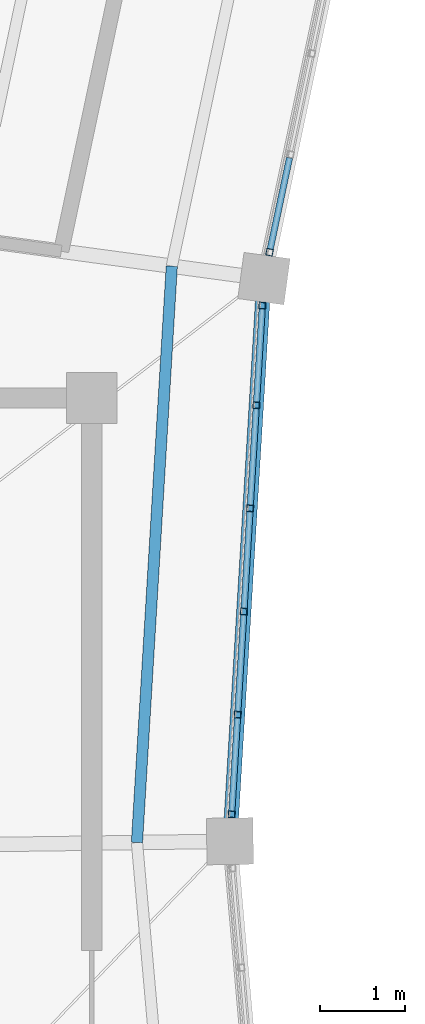
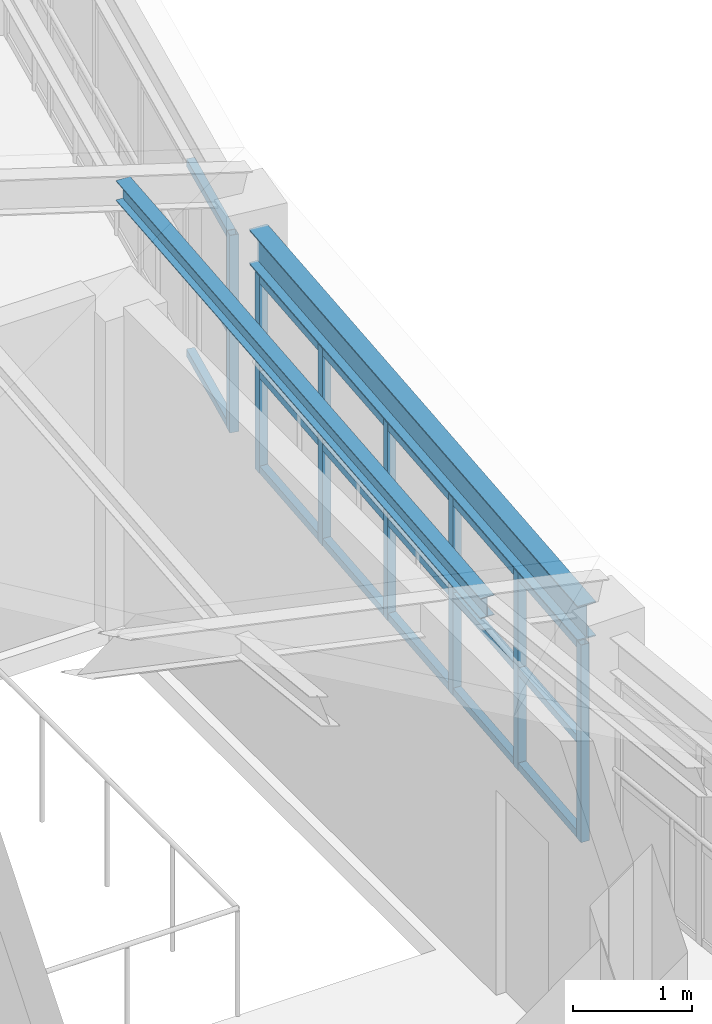
# One storey, part 31 of 149: 26 members, 1 beam, 2 elements without a shape of their own.
"""IFC4 building model written with IfcOpenShell, lengths in metres."""

from ifc_helpers import new_model, si_unit, direction, frame, origin, origin_2d, place, context, subcontext, project, spatial, hollow_rectangle, i_section, extrude, material, material_profile, profile_set, type_object, element, aggregate, save


model = new_model("IFC4")

# Units and contexts
model_context = context("Model", 3, precision=1e-05, world=origin(), true_north=direction((0.0, 1.0)))
body_context = subcontext(model_context, "Body", "Model", "MODEL_VIEW")
ifc_project = project(units=[si_unit("LENGTHUNIT", "METRE"), si_unit("AREAUNIT", "SQUARE_METRE"), si_unit("VOLUMEUNIT", "CUBIC_METRE"), si_unit("PLANEANGLEUNIT", "RADIAN"), si_unit("MASSUNIT", "GRAM", prefix="KILO")], contexts=[model_context])

# Site, building, storey
site_placement = place(None, origin())
site = spatial("IfcSite", under=ifc_project, at=site_placement, CompositionType="ELEMENT")
building_placement = place(site_placement, origin())
building = spatial("IfcBuilding", under=site, at=building_placement, Name="Celadon Cloister-Ring School", CompositionType="ELEMENT")
storey_placement = place(building_placement, frame((0.0, 0.0, 12.5)))
storey = spatial("IfcBuildingStorey", under=building, at=storey_placement, Name="L03", CompositionType="ELEMENT", Elevation=12.5)

# Curtain wall, member
ifc_material_1 = material(Name="Aluminium EN AW-6063 T6", Category="aluminium")
curtain_wall_type = type_object("IfcCurtainWallType", Name="CW-02", PredefinedType="USERDEFINED", material=ifc_material_1)
curtain_wall_1_placement = place(storey_placement, origin())
curtain_wall_1 = element("IfcCurtainWall", 1, at=curtain_wall_1_placement, inside=storey, type_object=curtain_wall_type, Name="Curtain Wall 0049", ObjectType="CURTAIN WALL", PredefinedType="USERDEFINED")
ifc_material_2 = material(Name="Aluminium EN AW-6063 T6", Category="aluminium")
ifc_material_profile_1 = material_profile(ifc_material_2, hollow_rectangle(XDim=0.080078125, YDim=0.080078125, WallThickness=0.00390625, at=origin_2d()), Name="RHS80X80X4")
ifc_profile_set_1 = profile_set([ifc_material_profile_1], Name="Aluminium EN AW-6063 T6")
member_type_1 = type_object("IfcMemberType", Name="CM-03", PredefinedType="MULLION", material=ifc_profile_set_1)
member_1_placement = place(storey_placement, frame((42.47216796875, 65.34423828125, 0.0), z_axis=(0.0, 0.0, 1.0), x_axis=(0.978328665626, -0.207058016061, 0.0)))
member_1 = element("IfcMember", 2, at=member_1_placement, type_object=member_type_1, Name="CW-02 mullion 6", PredefinedType="MULLION", context=body_context, shape_type="SweptSolid", body=[
    extrude(hollow_rectangle(XDim=0.080078125, YDim=0.080078125, WallThickness=0.00390625, at=origin_2d()), origin(), (0.0, 0.0, 1.0), 2.02001953125),
])

# Curtain wall, members
curtain_wall_2_placement = place(storey_placement, origin())
curtain_wall_2 = element("IfcCurtainWall", 3, at=curtain_wall_2_placement, inside=storey, type_object=curtain_wall_type, Name="Curtain Wall 0050", ObjectType="CURTAIN WALL", PredefinedType="USERDEFINED")
member_2_placement = place(storey_placement, frame((42.386474609375, 64.714111328125, 0.0), z_axis=(0.0, 0.0, 1.0), x_axis=(0.998184038846, -0.060238065975, 0.0)))
member_2 = element("IfcMember", 4, at=member_2_placement, type_object=member_type_1, Name="CW-02 mullion 1", PredefinedType="MULLION", context=body_context, shape_type="SweptSolid", body=[
    extrude(hollow_rectangle(XDim=0.080078125, YDim=0.080078125, WallThickness=0.00390625, at=origin_2d()), origin(), (0.0, 0.0, 1.0), 2.02001953125),
])
member_3_placement = place(storey_placement, frame((42.3154296875, 63.534423828125, 0.0), z_axis=(0.0, 0.0, 1.0), x_axis=(0.998184038846, -0.060238065975, 0.0)))
member_3 = element("IfcMember", 5, at=member_3_placement, type_object=member_type_1, Name="CW-02 mullion 2", PredefinedType="MULLION", context=body_context, shape_type="SweptSolid", body=[
    extrude(hollow_rectangle(XDim=0.080078125, YDim=0.080078125, WallThickness=0.00390625, at=origin_2d()), origin(), (0.0, 0.0, 1.0), 2.02001953125),
])
member_4_placement = place(storey_placement, frame((42.24169921875, 62.314697265625, 0.0), z_axis=(0.0, 0.0, 1.0), x_axis=(0.998184038846, -0.060238065975, 0.0)))
member_4 = element("IfcMember", 6, at=member_4_placement, type_object=member_type_1, Name="CW-02 mullion 3", PredefinedType="MULLION", context=body_context, shape_type="SweptSolid", body=[
    extrude(hollow_rectangle(XDim=0.080078125, YDim=0.080078125, WallThickness=0.00390625, at=origin_2d()), origin(), (0.0, 0.0, 1.0), 2.02001953125),
])
member_5_placement = place(storey_placement, frame((42.168212890625, 61.09521484375, 0.0), z_axis=(0.0, 0.0, 1.0), x_axis=(0.998184038846, -0.060238065975, 0.0)))
member_5 = element("IfcMember", 7, at=member_5_placement, type_object=member_type_1, Name="CW-02 mullion 4", PredefinedType="MULLION", context=body_context, shape_type="SweptSolid", body=[
    extrude(hollow_rectangle(XDim=0.080078125, YDim=0.080078125, WallThickness=0.00390625, at=origin_2d()), origin(), (0.0, 0.0, 1.0), 2.02001953125),
])
member_6_placement = place(storey_placement, frame((42.094482421875, 59.87548828125, 0.0), z_axis=(0.0, 0.0, 1.0), x_axis=(0.998184038846, -0.060238065975, 0.0)))
member_6 = element("IfcMember", 8, at=member_6_placement, type_object=member_type_1, Name="CW-02 mullion 5", PredefinedType="MULLION", context=body_context, shape_type="SweptSolid", body=[
    extrude(hollow_rectangle(XDim=0.080078125, YDim=0.080078125, WallThickness=0.00390625, at=origin_2d()), origin(), (0.0, 0.0, 1.0), 2.02001953125),
])
member_7_placement = place(storey_placement, frame((42.0234375, 58.696044921875, 0.0), z_axis=(0.0, 0.0, 1.0), x_axis=(0.998184038846, -0.060238065975, 0.0)))
member_7 = element("IfcMember", 9, at=member_7_placement, type_object=member_type_1, Name="CW-02 mullion 6", PredefinedType="MULLION", context=body_context, shape_type="SweptSolid", body=[
    extrude(hollow_rectangle(XDim=0.080078125, YDim=0.080078125, WallThickness=0.00390625, at=origin_2d()), origin(), (0.0, 0.0, 1.0), 2.02001953125),
])

# Member
ifc_material_3 = material(Name="Aluminium EN AW-6063 T6", Category="aluminium")
ifc_material_profile_2 = material_profile(ifc_material_3, hollow_rectangle(XDim=0.074951171875, YDim=0.074951171875, WallThickness=0.00390625, at=origin_2d()), Name="RHS75X75X4")
ifc_profile_set_2 = profile_set([ifc_material_profile_2], Name="Aluminium EN AW-6063 T6")
member_type_2 = type_object("IfcMemberType", Name="CTM-03", PredefinedType="USERDEFINED", material=ifc_profile_set_2)
member_8_placement = place(storey_placement, frame((42.708740234375, 66.461181640625, 0.03759765625), z_axis=(-0.207182916925, -0.978302222697, 0.0), x_axis=(0.978302222697, -0.207182916925, 0.0)))
member_8 = element("IfcMember", 10, at=member_8_placement, type_object=member_type_2, Name="CW-02 transom 5.1", ObjectType="TRANSOM", PredefinedType="USERDEFINED", context=body_context, shape_type="SweptSolid", body=[
    extrude(hollow_rectangle(XDim=0.074951171875, YDim=0.074951171875, WallThickness=0.00390625, at=origin_2d()), origin(), (0.0, 0.0, 1.0), 1.101806640625),
])

member_9_placement = place(storey_placement, frame((42.708740234375, 66.461181640625, 1.010009765625), z_axis=(-0.207182916925, -0.978302222697, 0.0), x_axis=(0.978302222697, -0.207182916925, 0.0)))
member_9 = element("IfcMember", 11, at=member_9_placement, type_object=member_type_2, Name="CW-02 transom 5.2", ObjectType="TRANSOM", PredefinedType="USERDEFINED", context=body_context, shape_type="SweptSolid", body=[
    extrude(hollow_rectangle(XDim=0.074951171875, YDim=0.074951171875, WallThickness=0.00390625, at=origin_2d()), origin(), (0.0, 0.0, 1.0), 1.101806640625),
])

member_10_placement = place(storey_placement, frame((42.708740234375, 66.461181640625, 1.982421875), z_axis=(-0.207182916925, -0.978302222697, 0.0), x_axis=(0.978302222697, -0.207182916925, 0.0)))
member_10 = element("IfcMember", 12, at=member_10_placement, type_object=member_type_2, Name="CW-02 transom 5.3", ObjectType="TRANSOM", PredefinedType="USERDEFINED", context=body_context, shape_type="SweptSolid", body=[
    extrude(hollow_rectangle(XDim=0.074951171875, YDim=0.074951171875, WallThickness=0.00390625, at=origin_2d()), origin(), (0.0, 0.0, 1.0), 1.101806640625),
])

aggregate(curtain_wall_1, [member_1, member_8, member_9, member_10])

member_11_placement = place(storey_placement, frame((42.38427734375, 64.674072265625, 0.03759765625), z_axis=(-0.060267607887, -0.998182255622, 0.0), x_axis=(0.998182255623, -0.060267607887, 0.0)))
member_11 = element("IfcMember", 13, at=member_11_placement, type_object=member_type_2, Name="CW-02 transom 1.1", ObjectType="TRANSOM", PredefinedType="USERDEFINED", context=body_context, shape_type="SweptSolid", body=[
    extrude(hollow_rectangle(XDim=0.074951171875, YDim=0.074951171875, WallThickness=0.00390625, at=origin_2d()), origin(), (0.0, 0.0, 1.0), 1.101806640625),
])

member_12_placement = place(storey_placement, frame((42.38427734375, 64.674072265625, 1.010009765625), z_axis=(-0.060267607887, -0.998182255622, 0.0), x_axis=(0.998182255623, -0.060267607887, 0.0)))
member_12 = element("IfcMember", 14, at=member_12_placement, type_object=member_type_2, Name="CW-02 transom 1.2", ObjectType="TRANSOM", PredefinedType="USERDEFINED", context=body_context, shape_type="SweptSolid", body=[
    extrude(hollow_rectangle(XDim=0.074951171875, YDim=0.074951171875, WallThickness=0.00390625, at=origin_2d()), origin(), (0.0, 0.0, 1.0), 1.101806640625),
])

member_13_placement = place(storey_placement, frame((42.38427734375, 64.674072265625, 1.982421875), z_axis=(-0.060267607887, -0.998182255622, 0.0), x_axis=(0.998182255623, -0.060267607887, 0.0)))
member_13 = element("IfcMember", 15, at=member_13_placement, type_object=member_type_2, Name="CW-02 transom 1.3", ObjectType="TRANSOM", PredefinedType="USERDEFINED", context=body_context, shape_type="SweptSolid", body=[
    extrude(hollow_rectangle(XDim=0.074951171875, YDim=0.074951171875, WallThickness=0.00390625, at=origin_2d()), origin(), (0.0, 0.0, 1.0), 1.101806640625),
])

member_14_placement = place(storey_placement, frame((42.31298828125, 63.494384765625, 0.03759765625), z_axis=(-0.060301375532, -0.998180216248, 0.0), x_axis=(0.998180216248, -0.060301375532, 0.0)))
member_14 = element("IfcMember", 16, at=member_14_placement, type_object=member_type_2, Name="CW-02 transom 2.1", ObjectType="TRANSOM", PredefinedType="USERDEFINED", context=body_context, shape_type="SweptSolid", body=[
    extrude(hollow_rectangle(XDim=0.074951171875, YDim=0.074951171875, WallThickness=0.00390625, at=origin_2d()), origin(), (0.0, 0.0, 1.0), 1.141845703125),
])

member_15_placement = place(storey_placement, frame((42.31298828125, 63.494384765625, 1.010009765625), z_axis=(-0.060301375532, -0.998180216248, 0.0), x_axis=(0.998180216248, -0.060301375532, 0.0)))
member_15 = element("IfcMember", 17, at=member_15_placement, type_object=member_type_2, Name="CW-02 transom 2.2", ObjectType="TRANSOM", PredefinedType="USERDEFINED", context=body_context, shape_type="SweptSolid", body=[
    extrude(hollow_rectangle(XDim=0.074951171875, YDim=0.074951171875, WallThickness=0.00390625, at=origin_2d()), origin(), (0.0, 0.0, 1.0), 1.141845703125),
])

member_16_placement = place(storey_placement, frame((42.31298828125, 63.494384765625, 1.982421875), z_axis=(-0.060301375532, -0.998180216248, 0.0), x_axis=(0.998180216248, -0.060301375532, 0.0)))
member_16 = element("IfcMember", 18, at=member_16_placement, type_object=member_type_2, Name="CW-02 transom 2.3", ObjectType="TRANSOM", PredefinedType="USERDEFINED", context=body_context, shape_type="SweptSolid", body=[
    extrude(hollow_rectangle(XDim=0.074951171875, YDim=0.074951171875, WallThickness=0.00390625, at=origin_2d()), origin(), (0.0, 0.0, 1.0), 1.141845703125),
])

member_17_placement = place(storey_placement, frame((42.239501953125, 62.27490234375, 0.03759765625), z_axis=(-0.060288507214, -0.998180993557, 0.0), x_axis=(0.998180993557, -0.060288507214, 0.0)))
member_17 = element("IfcMember", 19, at=member_17_placement, type_object=member_type_2, Name="CW-02 transom 3.1", ObjectType="TRANSOM", PredefinedType="USERDEFINED", context=body_context, shape_type="SweptSolid", body=[
    extrude(hollow_rectangle(XDim=0.074951171875, YDim=0.074951171875, WallThickness=0.00390625, at=origin_2d()), origin(), (0.0, 0.0, 1.0), 1.14208984375),
])

member_18_placement = place(storey_placement, frame((42.239501953125, 62.27490234375, 1.010009765625), z_axis=(-0.060288507214, -0.998180993557, 0.0), x_axis=(0.998180993557, -0.060288507214, 0.0)))
member_18 = element("IfcMember", 20, at=member_18_placement, type_object=member_type_2, Name="CW-02 transom 3.2", ObjectType="TRANSOM", PredefinedType="USERDEFINED", context=body_context, shape_type="SweptSolid", body=[
    extrude(hollow_rectangle(XDim=0.074951171875, YDim=0.074951171875, WallThickness=0.00390625, at=origin_2d()), origin(), (0.0, 0.0, 1.0), 1.14208984375),
])

member_19_placement = place(storey_placement, frame((42.239501953125, 62.27490234375, 1.982421875), z_axis=(-0.060288507214, -0.998180993557, 0.0), x_axis=(0.998180993557, -0.060288507214, 0.0)))
member_19 = element("IfcMember", 21, at=member_19_placement, type_object=member_type_2, Name="CW-02 transom 3.3", ObjectType="TRANSOM", PredefinedType="USERDEFINED", context=body_context, shape_type="SweptSolid", body=[
    extrude(hollow_rectangle(XDim=0.074951171875, YDim=0.074951171875, WallThickness=0.00390625, at=origin_2d()), origin(), (0.0, 0.0, 1.0), 1.14208984375),
])

member_20_placement = place(storey_placement, frame((42.165771484375, 61.05517578125, 0.03759765625), z_axis=(-0.060301375532, -0.998180216248, 0.0), x_axis=(0.998180216248, -0.060301375532, 0.0)))
member_20 = element("IfcMember", 22, at=member_20_placement, type_object=member_type_2, Name="CW-02 transom 4.1", ObjectType="TRANSOM", PredefinedType="USERDEFINED", context=body_context, shape_type="SweptSolid", body=[
    extrude(hollow_rectangle(XDim=0.074951171875, YDim=0.074951171875, WallThickness=0.00390625, at=origin_2d()), origin(), (0.0, 0.0, 1.0), 1.141845703125),
])

member_21_placement = place(storey_placement, frame((42.165771484375, 61.05517578125, 1.010009765625), z_axis=(-0.060301375532, -0.998180216248, 0.0), x_axis=(0.998180216248, -0.060301375532, 0.0)))
member_21 = element("IfcMember", 23, at=member_21_placement, type_object=member_type_2, Name="CW-02 transom 4.2", ObjectType="TRANSOM", PredefinedType="USERDEFINED", context=body_context, shape_type="SweptSolid", body=[
    extrude(hollow_rectangle(XDim=0.074951171875, YDim=0.074951171875, WallThickness=0.00390625, at=origin_2d()), origin(), (0.0, 0.0, 1.0), 1.141845703125),
])

member_22_placement = place(storey_placement, frame((42.165771484375, 61.05517578125, 1.982421875), z_axis=(-0.060301375532, -0.998180216248, 0.0), x_axis=(0.998180216248, -0.060301375532, 0.0)))
member_22 = element("IfcMember", 24, at=member_22_placement, type_object=member_type_2, Name="CW-02 transom 4.3", ObjectType="TRANSOM", PredefinedType="USERDEFINED", context=body_context, shape_type="SweptSolid", body=[
    extrude(hollow_rectangle(XDim=0.074951171875, YDim=0.074951171875, WallThickness=0.00390625, at=origin_2d()), origin(), (0.0, 0.0, 1.0), 1.141845703125),
])

member_23_placement = place(storey_placement, frame((42.09228515625, 59.835693359375, 0.03759765625), z_axis=(-0.060267607887, -0.998182255622, 0.0), x_axis=(0.998182255623, -0.060267607887, 0.0)))
member_23 = element("IfcMember", 25, at=member_23_placement, type_object=member_type_2, Name="CW-02 transom 5.1", ObjectType="TRANSOM", PredefinedType="USERDEFINED", context=body_context, shape_type="SweptSolid", body=[
    extrude(hollow_rectangle(XDim=0.074951171875, YDim=0.074951171875, WallThickness=0.00390625, at=origin_2d()), origin(), (0.0, 0.0, 1.0), 1.101806640625),
])

member_24_placement = place(storey_placement, frame((42.09228515625, 59.835693359375, 1.010009765625), z_axis=(-0.060267607887, -0.998182255622, 0.0), x_axis=(0.998182255623, -0.060267607887, 0.0)))
member_24 = element("IfcMember", 26, at=member_24_placement, type_object=member_type_2, Name="CW-02 transom 5.2", ObjectType="TRANSOM", PredefinedType="USERDEFINED", context=body_context, shape_type="SweptSolid", body=[
    extrude(hollow_rectangle(XDim=0.074951171875, YDim=0.074951171875, WallThickness=0.00390625, at=origin_2d()), origin(), (0.0, 0.0, 1.0), 1.101806640625),
])

member_25_placement = place(storey_placement, frame((42.09228515625, 59.835693359375, 1.982421875), z_axis=(-0.060267607887, -0.998182255622, 0.0), x_axis=(0.998182255623, -0.060267607887, 0.0)))
member_25 = element("IfcMember", 27, at=member_25_placement, type_object=member_type_2, Name="CW-02 transom 5.3", ObjectType="TRANSOM", PredefinedType="USERDEFINED", context=body_context, shape_type="SweptSolid", body=[
    extrude(hollow_rectangle(XDim=0.074951171875, YDim=0.074951171875, WallThickness=0.00390625, at=origin_2d()), origin(), (0.0, 0.0, 1.0), 1.101806640625),
])

aggregate(curtain_wall_2, [member_2, member_3, member_4, member_5, member_6, member_7, member_11, member_12, member_13, member_14, member_15, member_16, member_17, member_18, member_19, member_20, member_21, member_22, member_23, member_24, member_25])

# Beam
ifc_material_4 = material(Name="Structural steel S355JR", Category="steel")
ifc_material_profile_3 = material_profile(ifc_material_4, i_section(OverallWidth=0.1708984375, OverallDepth=0.35498046875, WebThickness=0.007080078125, FlangeThickness=0.01171875, at=origin_2d()), Name="W360X51")
ifc_profile_set_3 = profile_set([ifc_material_profile_3], Name="Structural steel S355JR")
beam_type = type_object("IfcBeamType", Name="GT-08", PredefinedType="USERDEFINED", material=ifc_profile_set_3)
beam_placement = place(storey_placement, frame((42.39111328125, 64.781982421875, 2.27197265625), z_axis=(-0.060349198433, -0.998177326054, 0.0), x_axis=(0.998177326054, -0.060349198433, 0.0)))
element("IfcBeam", 28, at=beam_placement, inside=storey, type_object=beam_type, Name="Beam 0537", ObjectType="GIRDER", PredefinedType="USERDEFINED", context=body_context, shape_type="SweptSolid", body=[
    extrude(i_section(OverallWidth=0.1708984375, OverallDepth=0.35498046875, WebThickness=0.007080078125, FlangeThickness=0.01171875, at=origin_2d()), origin(), (0.0, 0.0, 1.0), 6.165283203125),
])

# Member
ifc_material_5 = material(Name="Structural steel S355JR", Category="steel")
ifc_material_profile_4 = material_profile(ifc_material_5, i_section(OverallWidth=0.133056640625, OverallDepth=0.20703125, WebThickness=0.005859375, FlangeThickness=0.00830078125, at=origin_2d()), Name="W200X27")
ifc_profile_set_4 = profile_set([ifc_material_profile_4], Name="Structural steel S355JR")
member_type_3 = type_object("IfcMemberType", Name="MP-04", PredefinedType="PURLIN", material=ifc_profile_set_4)
member_26_placement = place(storey_placement, frame((41.31591796875, 65.179931640625, 2.970947265625), z_axis=(-0.060308334487, -0.998179795824, 0.0), x_axis=(0.998179795824, -0.060308334487, 0.0)))
element("IfcMember", 29, at=member_26_placement, inside=storey, type_object=member_type_3, Name="Structural Member 0107", PredefinedType="PURLIN", context=body_context, shape_type="SweptSolid", body=[
    extrude(i_section(OverallWidth=0.133056640625, OverallDepth=0.20703125, WebThickness=0.005859375, FlangeThickness=0.00830078125, at=origin_2d()), origin(), (0.0, 0.0, 1.0), 6.829345703125),
])

save(model, "model.ifc")
